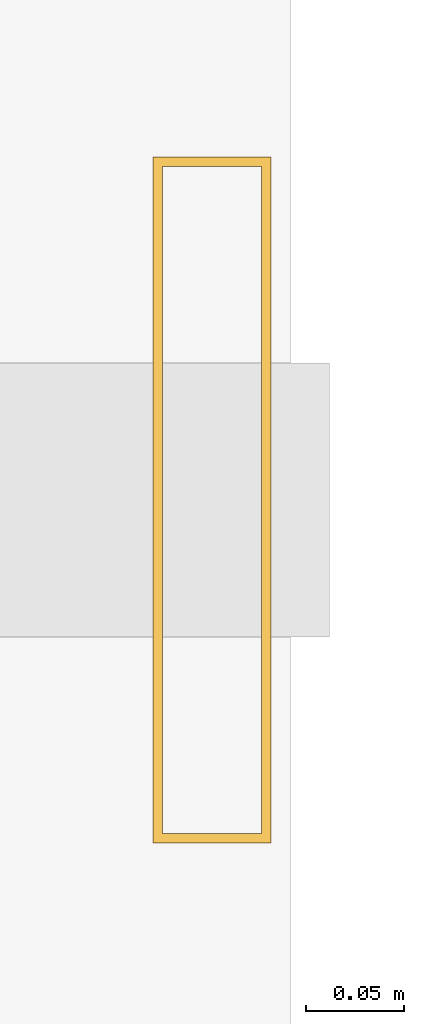
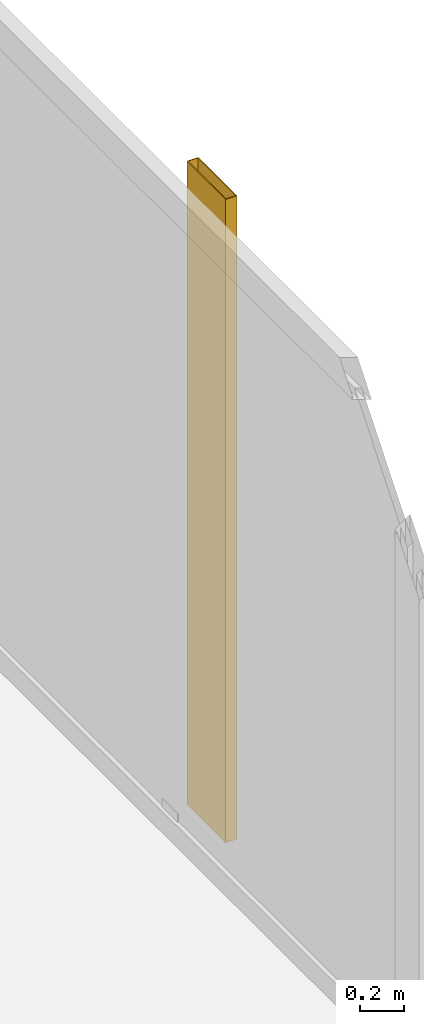
# One storey, part 28 of 28: 1 shading device.
"""IFC4 building model written with IfcOpenShell, lengths in metres."""

from ifc_helpers import new_model, si_unit, direction, frame, origin, origin_2d, place, context, subcontext, project, spatial, hollow_rectangle, extrude, material, material_profile, profile_set, type_object, element, save


model = new_model("IFC4")

# Units and contexts
model_context = context("Model", 3, precision=1e-05, world=origin(), true_north=direction((0.0, 1.0)))
body_context = subcontext(model_context, "Body", "Model", "MODEL_VIEW")
ifc_project = project(units=[si_unit("LENGTHUNIT", "METRE"), si_unit("AREAUNIT", "SQUARE_METRE"), si_unit("VOLUMEUNIT", "CUBIC_METRE"), si_unit("PLANEANGLEUNIT", "RADIAN"), si_unit("MASSUNIT", "GRAM", prefix="KILO")], contexts=[model_context])

# Site, building, storey
site_placement = place(None, origin())
site = spatial("IfcSite", under=ifc_project, at=site_placement, CompositionType="ELEMENT")
building_placement = place(site_placement, origin())
building = spatial("IfcBuilding", under=site, at=building_placement, Name="Kolvaren Waterfront Exchange", CompositionType="ELEMENT")
storey_placement = place(building_placement, frame((0.0, 0.0, 103.10009765625)))
storey = spatial("IfcBuildingStorey", under=building, at=storey_placement, Name="L26", CompositionType="ELEMENT", Elevation=103.10009765625)

# Shading device
ifc_material = material(Name="Anodised bronze aluminium 6063-T6", Category="aluminium")
ifc_material_profile = material_profile(ifc_material, hollow_rectangle(XDim=0.06005859375, YDim=0.35009765625, WallThickness=0.0048828125, at=origin_2d()), Name="BRZ-FIN-350x60x5")
ifc_profile_set = profile_set([ifc_material_profile], Name="Anodised bronze aluminium 6063-T6")
shading_device_type = type_object("IfcShadingDeviceType", Name="ARC-FIN-350", PredefinedType="USERDEFINED", material=ifc_profile_set)
shading_device_placement = place(storey_placement, frame((23.9599609375, 38.39990234375, 0.0), z_axis=(0.0, 0.0, 1.0), x_axis=(1.0, 0.0, 0.0)))
element("IfcShadingDevice", 1, at=shading_device_placement, inside=storey, type_object=shading_device_type, Name="L26 anodised bronze solar shading fin FIN-L26-E3", ObjectType="SOLAR FIN", PredefinedType="USERDEFINED", context=body_context, shape_type="SweptSolid", body=[
    extrude(hollow_rectangle(XDim=0.06005859375, YDim=0.35009765625, WallThickness=0.0048828125, at=origin_2d()), origin(), (0.0, 0.0, 1.0), 3.539794921875),
])

save(model, "model.ifc")
